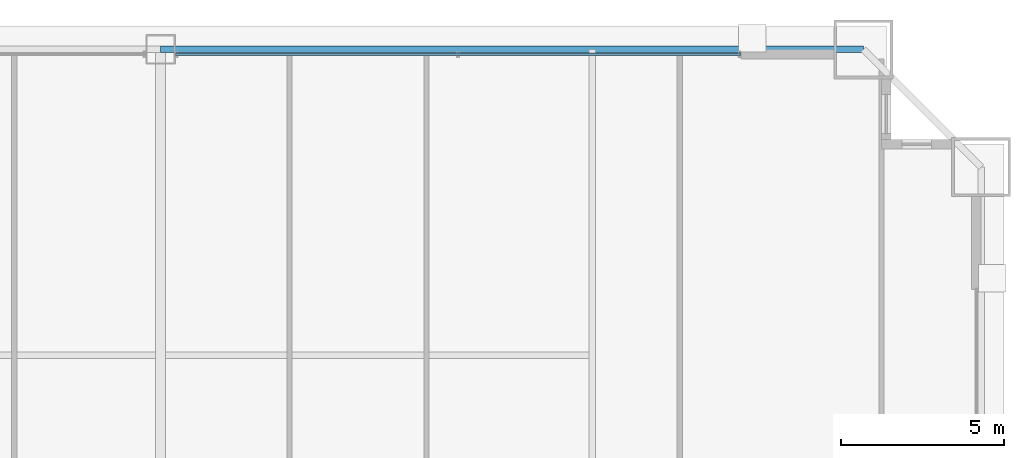
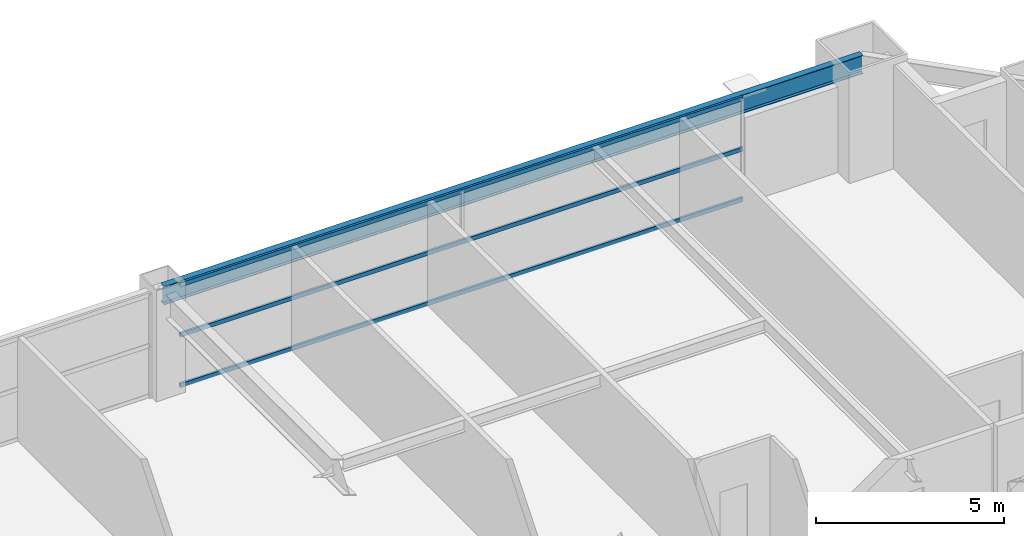
# One storey, part 37 of 45: 3 members, 1 beam, 1 element without a shape of its own.
"""IFC4 building model written with IfcOpenShell, lengths in metres."""

from ifc_helpers import new_model, si_unit, direction, frame, origin, origin_2d, place, context, subcontext, project, spatial, hollow_rectangle, i_section, extrude, source, transform, mapped, material, layer, layer_set, material_profile, profile_set, type_object, element, aggregate, save


model = new_model("IFC4")

# Units and contexts
model_context = context("Model", 3, precision=1e-05, world=origin(), true_north=direction((0.0, 1.0)))
body_context = subcontext(model_context, "Body", "Model", "MODEL_VIEW")
ifc_project = project(units=[si_unit("LENGTHUNIT", "METRE"), si_unit("AREAUNIT", "SQUARE_METRE"), si_unit("VOLUMEUNIT", "CUBIC_METRE"), si_unit("PLANEANGLEUNIT", "RADIAN"), si_unit("MASSUNIT", "GRAM", prefix="KILO"), si_unit("THERMODYNAMICTEMPERATUREUNIT", "KELVIN"), si_unit("POWERUNIT", "WATT")], contexts=[model_context])

# Site, building, storey
site_placement = place(None, origin())
site = spatial("IfcSite", under=ifc_project, at=site_placement, CompositionType="ELEMENT")
building_placement = place(site_placement, origin())
building = spatial("IfcBuilding", under=site, at=building_placement, Name="Yuzanri Waterfront Tower", CompositionType="ELEMENT")
storey_placement = place(building_placement, frame((0.0, 0.0, 49.60009765625)))
storey = spatial("IfcBuildingStorey", under=building, at=storey_placement, Name="L12", CompositionType="ELEMENT", Elevation=49.60009765625)

# Beam
ifc_material_1 = material(Name="Steel Q355B", Category="steel")
ifc_material_profile_1 = material_profile(ifc_material_1, i_section(OverallWidth=0.199951171875, OverallDepth=0.60009765625, WebThickness=0.010986328125, FlangeThickness=0.01708984375, at=origin_2d()), Name="HN 600x200x11x17")
ifc_profile_set_1 = profile_set([ifc_material_profile_1], Name="Steel Q355B")
beam_type = type_object("IfcBeamType", Name="Perimeter Spandrel Q355B HN 600x200", PredefinedType="SPANDREL", material=ifc_profile_set_1)
shared_shape_1 = source(origin(), body_context, "Body", "SweptSolid", [
    extrude(i_section(OverallWidth=0.199951171875, OverallDepth=0.60009765625, WebThickness=0.010986328125, FlangeThickness=0.01708984375, at=origin_2d()), origin(), (0.0, 0.0, 1.0), 21.5),
])
beam_placement = place(storey_placement, frame((58.5, 50.89990234375, 3.079833984375), z_axis=(-1.0, 0.0, 0.0), x_axis=(0.0, -1.0, 0.0)))
element("IfcBeam", 1, at=beam_placement, inside=storey, type_object=beam_type, Name="L12 Perimeter Spandrel N3-N2", PredefinedType="SPANDREL", context=body_context, shape_type="MappedRepresentation", body=[
    mapped(shared_shape_1, transform((0.0, 0.0, 0.0), scale=1.0)),
])

# Curtain wall, members
ifc_material_2 = material(Name="Anodized Architectural Bronze", Category="metal")
ifc_layer = layer(ifc_material_2, 0.159912109375)
ifc_layer_set = layer_set([ifc_layer], Name="Anodized Architectural Bronze")
curtain_wall_type = type_object("IfcCurtainWallType", Name="Anodized Bronze Hotel Lower-Tier Recessed Unitized Curtain Wall 8100", PredefinedType="NOTDEFINED", material=ifc_layer_set)
curtain_wall_placement = place(storey_placement, origin())
curtain_wall = element("IfcCurtainWall", 2, at=curtain_wall_placement, inside=storey, type_object=curtain_wall_type, Name="L12 Curtain Wall CW-L12-NR", PredefinedType="NOTDEFINED")
ifc_material_3 = material(Name="Anodized Architectural Bronze", Category="metal")
ifc_material_profile_2 = material_profile(ifc_material_3, hollow_rectangle(XDim=0.070068359375, YDim=0.135009765625, WallThickness=0.00341796875, at=origin_2d()), Name="CWT 70x135")
ifc_profile_set_2 = profile_set([ifc_material_profile_2], Name="Anodized Architectural Bronze")
member_type = type_object("IfcMemberType", Name="Anodized Bronze Standard Curtain-Wall Transom 70x135", PredefinedType="USERDEFINED", material=ifc_profile_set_2)
shared_shape_2 = source(origin(), body_context, "Body", "SweptSolid", [
    extrude(hollow_rectangle(XDim=0.070068359375, YDim=0.135009765625, WallThickness=0.00341796875, at=origin_2d()), origin(), (0.0, 0.0, 1.0), 17.300048828125),
])
member_1_placement = place(storey_placement, frame((37.449951171875, 50.75, 0.0498046875), z_axis=(1.0, 0.0, 0.0), x_axis=(0.0, 1.0, 0.0)))
member_1 = element("IfcMember", 3, at=member_1_placement, type_object=member_type, Name="CW-L12-NR Transom 1", ObjectType="TRANSOM", PredefinedType="USERDEFINED", context=body_context, shape_type="MappedRepresentation", body=[
    mapped(shared_shape_2, transform((0.0, 0.0, 0.0), scale=1.0)),
])
member_2_placement = place(storey_placement, frame((37.449951171875, 50.75, 1.68994140625), z_axis=(1.0, 0.0, 0.0), x_axis=(0.0, 1.0, 0.0)))
member_2 = element("IfcMember", 4, at=member_2_placement, type_object=member_type, Name="CW-L12-NR Transom 2", ObjectType="TRANSOM", PredefinedType="USERDEFINED", context=body_context, shape_type="MappedRepresentation", body=[
    mapped(shared_shape_2, transform((0.0, 0.0, 0.0), scale=1.0)),
])
member_3_placement = place(storey_placement, frame((37.449951171875, 50.75, 3.329833984375), z_axis=(1.0, 0.0, 0.0), x_axis=(0.0, 1.0, 0.0)))
member_3 = element("IfcMember", 5, at=member_3_placement, type_object=member_type, Name="CW-L12-NR Transom 3", ObjectType="TRANSOM", PredefinedType="USERDEFINED", context=body_context, shape_type="MappedRepresentation", body=[
    mapped(shared_shape_2, transform((0.0, 0.0, 0.0), scale=1.0)),
])
aggregate(curtain_wall, [member_1, member_2, member_3])

save(model, "model.ifc")
